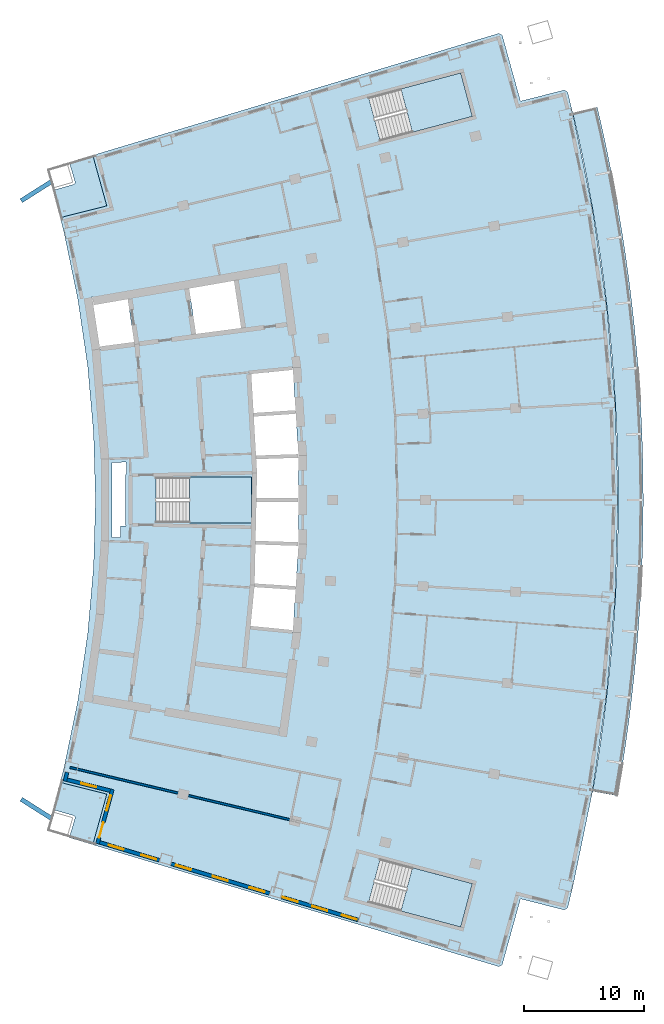
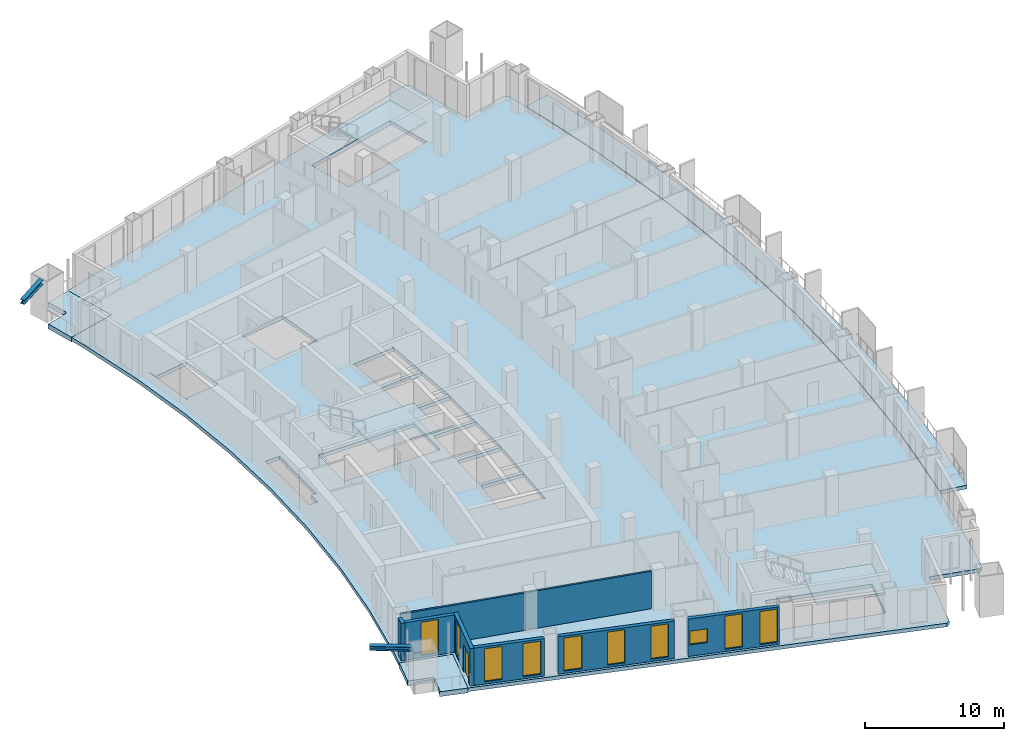
# One storey, part 9 of 19: 10 windows, 7 slabs, 7 walls, 2 members, 1 door, 11 openings, 3 elements without a shape of their own.
"""IFC4 building model written with IfcOpenShell, lengths in metres."""

from ifc_helpers import new_model, si_unit, direction, frame, frame_2d, origin, origin_2d, place, context, subcontext, project, spatial, polyline, rectangle, i_section, outline, extrude, material, layer, layer_set, material_profile, profile_set, type_object, element, fill, aggregate, save


model = new_model("IFC4")

# Units and contexts
model_context = context("Model", 3, precision=1e-05, world=origin(), true_north=direction((0.0, 1.0)))
body_context = subcontext(model_context, "Body", "Model", "MODEL_VIEW")
ifc_project = project(units=[si_unit("LENGTHUNIT", "METRE"), si_unit("AREAUNIT", "SQUARE_METRE"), si_unit("VOLUMEUNIT", "CUBIC_METRE"), si_unit("PLANEANGLEUNIT", "RADIAN"), si_unit("MASSUNIT", "GRAM", prefix="KILO")], contexts=[model_context])

# Site, building, storey
site_placement = place(None, origin())
site = spatial("IfcSite", under=ifc_project, at=site_placement, CompositionType="ELEMENT")
building_placement = place(site_placement, origin())
building = spatial("IfcBuilding", under=site, at=building_placement, Name="Alderwake Tower", CompositionType="ELEMENT")
storey_placement = place(building_placement, frame((0.0, 0.0, 174.800048828125)))
storey = spatial("IfcBuildingStorey", under=building, at=storey_placement, Name="L43", CompositionType="ELEMENT", Elevation=174.800048828125)

# Members
ifc_material_1 = material(Name="Steel ASTM A992 Grade 50", Category="steel")
ifc_material_profile = material_profile(ifc_material_1, i_section(OverallWidth=0.3740234375, OverallDepth=0.372314453125, WebThickness=0.016357421875, FlangeThickness=0.026123046875, at=origin_2d()), Name="W14X132")
ifc_profile_set = profile_set([ifc_material_profile], Name="Steel ASTM A992 Grade 50")
member_type = type_object("IfcMemberType", Name="Brace node stub W14X132", PredefinedType="MEMBER", material=ifc_profile_set)
for number, where, z_axis, x_axis, name in (
    (1, (12.305908203125, 34.4482421875, 3.393798828125), (-0.844355929009, 0.535782665964, 0.0), (-0.535782665964, -0.844355929009, 0.0), "Brace node stub BS.RR02-C0.1784"),
    (2, (12.305908203125, 87.5517578125, 3.393798828125), (-0.844355929009, -0.535782665964, 0.0), (0.535782665964, -0.844355929009, 0.0), "Brace node stub BS.RR12-C0.1784"),
):
    element("IfcMember", number, at=place(storey_placement, frame(where, z_axis=z_axis, x_axis=x_axis)), inside=storey, type_object=member_type, Name=name, PredefinedType="MEMBER", context=body_context, shape_type="SweptSolid", body=[
        extrude(i_section(OverallWidth=0.3740234375, OverallDepth=0.372314453125, WebThickness=0.016357421875, FlangeThickness=0.026123046875, at=origin_2d()), origin(), (0.0, 0.0, 1.0), 2.964599609375),
    ])

# Slabs
ifc_material_2 = material(Name="Concrete C50/60", Category="concrete")
ifc_layer_1 = layer(ifc_material_2, 0.320068359375)
ifc_layer_set_1 = layer_set([ifc_layer_1], Name="Balcony slab 320")
slab_type_1 = type_object("IfcSlabType", Name="Balcony slab 320", PredefinedType="FLOOR", material=ifc_layer_set_1)
slab_1_placement = place(storey_placement, frame((0.0, 0.0, -0.320068359375)))
element("IfcSlab", 3, at=slab_1_placement, inside=storey, type_object=slab_type_1, Name="Balcony BF04", PredefinedType="FLOOR", context=body_context, shape_type="SweptSolid", body=[
    extrude(outline(polyline([(59.880615234375, 38.3662109375), (60.19580078125, 40.40869140625), (60.481201171875, 42.455078125), (60.73681640625, 44.505859375), (60.96240234375, 46.559814453125), (61.157958984375, 48.6171875), (61.323486328125, 50.677001953125), (61.458984375, 52.739013671875), (61.564453125, 54.802490234375), (61.6396484375, 56.86767578125), (61.684814453125, 58.93359375), (61.699951171875, 61.0), (61.684814453125, 63.06640625), (61.6396484375, 65.13232421875), (61.564453125, 67.197509765625), (61.458984375, 69.260986328125), (61.323486328125, 71.322998046875), (61.157958984375, 73.3828125), (60.96240234375, 75.440185546875), (60.73681640625, 77.494140625), (60.481201171875, 79.544921875), (60.19580078125, 81.59130859375), (59.880615234375, 83.6337890625), (59.535888671875, 85.671142578125), (59.1611328125, 87.703369140625), (58.7568359375, 89.729736328125), (58.3232421875, 91.750244140625), (57.860107421875, 93.76416015625), (55.81689453125, 93.278564453125), (56.273193359375, 91.29443359375), (56.700439453125, 89.30419921875), (57.098876953125, 87.3076171875), (57.4677734375, 85.305419921875), (57.8076171875, 83.298095703125), (58.1181640625, 81.2861328125), (58.3994140625, 79.27001953125), (58.65087890625, 77.249755859375), (58.873291015625, 75.22607421875), (59.06591796875, 73.199462890625), (59.22900390625, 71.170166015625), (59.362548828125, 69.138671875), (59.46630859375, 67.105712890625), (59.54052734375, 65.071044921875), (59.585205078125, 63.035888671875), (59.60009765625, 61.0), (59.585205078125, 58.964111328125), (59.54052734375, 56.928955078125), (59.46630859375, 54.894287109375), (59.362548828125, 52.861328125), (59.22900390625, 50.829833984375), (59.06591796875, 48.800537109375), (58.873291015625, 46.77392578125), (58.65087890625, 44.750244140625), (58.3994140625, 42.72998046875), (58.1181640625, 40.7138671875), (57.8076171875, 38.701904296875), (57.4677734375, 36.694580078125), (59.535888671875, 36.328857421875), (59.880615234375, 38.3662109375)])), origin(), (0.0, 0.0, 1.0), 0.320068359375),
])
ifc_material_3 = material(Name="Concrete C50/60", Category="concrete")
ifc_layer_2 = layer(ifc_material_3, 0.320068359375)
ifc_layer_set_2 = layer_set([ifc_layer_2], Name="Concrete C50/60 post-tensioned flat plate 320")
slab_type_2 = type_object("IfcSlabType", Name="Concrete C50/60 post-tensioned flat plate 320", PredefinedType="FLOOR", material=ifc_layer_set_2)
slab_2_placement = place(storey_placement, frame((0.0, 0.0, -0.320068359375)))
element("IfcSlab", 4, at=slab_2_placement, inside=storey, type_object=slab_type_2, Name="Floor slab L43", PredefinedType="FLOOR", context=body_context, shape_type="SweptSolid", body=[
    extrude(outline(polyline([(13.06494140625, 37.443115234375), (13.3984375, 38.802734375), (14.53369140625, 44.28564453125), (15.347412109375, 49.825439453125), (15.836669921875, 55.4033203125), (16.0, 61.0), (15.836669921875, 66.5966796875), (15.347412109375, 72.174560546875), (14.53369140625, 77.71435546875), (13.3984375, 83.197265625), (13.06494140625, 84.556884765625), (16.942626953125, 85.53857421875), (15.776611328125, 89.7548828125), (49.65283203125, 99.925537109375), (49.934326171875, 99.77001953125), (51.4541015625, 94.274169921875), (55.10888671875, 95.19921875), (55.38671875, 95.0322265625), (55.81689453125, 93.278564453125), (57.4677734375, 85.305419921875), (58.65087890625, 77.249755859375), (59.362548828125, 69.138671875), (59.60009765625, 61.0), (59.362548828125, 52.861328125), (58.65087890625, 44.750244140625), (57.4677734375, 36.694580078125), (55.81689453125, 28.721435546875), (55.38671875, 26.9677734375), (55.10888671875, 26.80078125), (51.4541015625, 27.725830078125), (49.934326171875, 22.22998046875), (49.65283203125, 22.074462890625), (15.776611328125, 32.2451171875), (16.942626953125, 36.46142578125), (13.06494140625, 37.443115234375)]), holes=[polyline([(29.25732421875, 53.7685546875), (28.939697265625, 50.49072265625), (32.447509765625, 50.147705078125), (32.432861328125, 49.998291015625), (32.462646484375, 49.995361328125), (32.701416015625, 53.660888671875), (32.940185546875, 57.32666015625), (32.940185546875, 61.0), (32.940185546875, 64.67333984375), (32.701416015625, 68.339111328125), (32.462646484375, 72.004638671875), (32.432861328125, 72.001708984375), (32.447509765625, 71.852294921875), (28.886962890625, 71.50390625), (28.88720703125, 71.50048828125), (28.99462890625, 71.506591796875), (29.184814453125, 68.26025390625), (32.66162109375, 68.48681640625), (32.67138671875, 68.337158203125), (32.68115234375, 68.1875), (29.2021484375, 67.960693359375), (29.392578125, 64.7080078125), (32.9052734375, 64.822265625), (32.91015625, 64.67236328125), (32.9150390625, 64.5224609375), (29.41015625, 64.408447265625), (29.4765625, 63.27685546875), (29.429443359375, 61.14990234375), (32.91015625, 61.14990234375), (32.91015625, 61.0), (32.91015625, 60.85009765625), (29.4228515625, 60.85009765625), (29.350830078125, 57.593505859375), (32.9150390625, 57.4775390625), (32.91015625, 57.32763671875), (32.9052734375, 57.177734375), (29.34423828125, 57.29345703125), (29.2705078125, 53.9697265625), (29.274169921875, 53.969482421875), (29.2783203125, 54.0341796875), (32.68115234375, 53.8125), (32.67138671875, 53.662841796875), (32.66162109375, 53.51318359375), (29.2587890625, 53.73486328125), (29.260986328125, 53.768310546875), (29.25732421875, 53.7685546875)]), polyline([(21.050048828125, 62.875), (21.050048828125, 59.125), (29.0, 59.125), (29.0, 62.875), (21.050048828125, 62.875)]), polyline([(15.739013671875, 77.927490234375), (15.5361328125, 77.8916015625), (15.536865234375, 77.887939453125), (15.716796875, 77.91552734375), (16.379150390625, 73.605712890625), (16.4091796875, 73.609619140625), (16.38330078125, 73.80810546875), (19.224853515625, 74.1796875), (18.689697265625, 77.74365234375), (18.885986328125, 77.773193359375), (18.8837890625, 77.787109375), (15.854248046875, 77.261962890625), (15.739013671875, 77.927490234375)]), polyline([(27.555419921875, 79.29052734375), (23.811767578125, 78.6416015625), (24.384033203125, 74.8583984375), (24.373291015625, 74.856689453125), (24.373779296875, 74.85302734375), (28.152587890625, 75.347412109375), (27.555419921875, 79.29052734375)]), polyline([(47.436279296875, 28.996826171875), (39.754150390625, 31.043212890625), (38.7890625, 27.41943359375), (46.47119140625, 25.373291015625), (47.436279296875, 28.996826171875)]), polyline([(46.47119140625, 96.626708984375), (38.7890625, 94.58056640625), (39.754150390625, 90.956787109375), (47.436279296875, 93.003173828125), (46.47119140625, 96.626708984375)]), polyline([(17.389404296875, 64.1220703125), (17.389404296875, 57.8779296875), (18.06298828125, 57.85400390625), (18.090576171875, 58.84375), (18.544189453125, 58.831298828125), (18.529296875, 58.8681640625), (18.5234375, 58.891845703125), (18.5185546875, 58.940673828125), (18.5185546875, 63.060302734375), (18.5234375, 63.109130859375), (18.53759765625, 63.156005859375), (18.560791015625, 63.19921875), (18.588623046875, 63.2333984375), (18.562744140625, 64.16357421875), (17.389404296875, 64.1220703125)])]), origin(), (0.0, 0.0, 1.0), 0.320068359375),
])

# Stair, slab
ifc_material_4 = material(Name="Concrete C40/50", Category="concrete")
stair_type = type_object("IfcStairType", Name="Core exit stair", PredefinedType="HALF_TURN_STAIR", material=ifc_material_4)
stair_1_placement = place(storey_placement, origin())
stair_1 = element("IfcStair", 5, at=stair_1_placement, inside=storey, type_object=stair_type, Name="L43 Exit Stair B", PredefinedType="HALF_TURN_STAIR")
ifc_material_5 = material(Name="Concrete C40/50", Category="concrete")
ifc_layer_3 = layer(ifc_material_5, 0.199951171875)
ifc_layer_set_3 = layer_set([ifc_layer_3], Name="Core stair landing 200")
slab_type_3 = type_object("IfcSlabType", Name="Core stair landing 200", PredefinedType="LANDING", material=ifc_layer_set_3)
slab_3_placement = place(storey_placement, frame((0.0, 0.0, 1.599853515625)))
slab_3 = element("IfcSlab", 6, at=slab_3_placement, type_object=slab_type_3, Name="ST-B landing 1", PredefinedType="LANDING", context=body_context, shape_type="SweptSolid", body=[
    extrude(outline(polyline([(23.830078125, 59.074951171875), (29.0, 59.074951171875), (29.0, 62.925048828125), (23.830078125, 62.925048828125), (23.830078125, 59.074951171875)])), origin(), (0.0, 0.0, 1.0), 0.2001953125),
])
aggregate(stair_1, [slab_3])

stair_2_placement = place(storey_placement, origin())
stair_2 = element("IfcStair", 7, at=stair_2_placement, inside=storey, type_object=stair_type, Name="L43 Exit Stair A", PredefinedType="HALF_TURN_STAIR")
slab_4_placement = place(storey_placement, frame((0.0, 0.0, 1.599853515625)))
slab_4 = element("IfcSlab", 8, at=slab_4_placement, type_object=slab_type_3, Name="ST-A landing 1", PredefinedType="LANDING", context=body_context, shape_type="SweptSolid", body=[
    extrude(outline(polyline([(42.440673828125, 91.67236328125), (47.436279296875, 93.003173828125), (46.47119140625, 96.626708984375), (41.475341796875, 95.296142578125), (42.440673828125, 91.67236328125)])), origin(), (0.0, 0.0, 1.0), 0.2001953125),
])
aggregate(stair_2, [slab_4])

stair_3_placement = place(storey_placement, origin())
stair_3 = element("IfcStair", 9, at=stair_3_placement, inside=storey, type_object=stair_type, Name="L43 Exit Stair C", PredefinedType="HALF_TURN_STAIR")
slab_5_placement = place(storey_placement, frame((0.0, 0.0, 1.599853515625)))
slab_5 = element("IfcSlab", 10, at=slab_5_placement, type_object=slab_type_3, Name="ST-C landing 1", PredefinedType="LANDING", context=body_context, shape_type="SweptSolid", body=[
    extrude(outline(polyline([(41.475341796875, 26.703857421875), (46.47119140625, 25.373291015625), (47.436279296875, 28.996826171875), (42.4404296875, 30.32763671875), (41.475341796875, 26.703857421875)])), origin(), (0.0, 0.0, 1.0), 0.2001953125),
])
aggregate(stair_3, [slab_5])

# Slabs
ifc_material_6 = material(Name="Concrete C50/60", Category="concrete")
ifc_layer_4 = layer(ifc_material_6, 0.419921875)
ifc_layer_set_4 = layer_set([ifc_layer_4], Name="Terrace slab 420")
slab_type_4 = type_object("IfcSlabType", Name="Terrace slab 420", PredefinedType="FLOOR", material=ifc_layer_set_4)
slab_6_placement = place(storey_placement, frame((0.0, 0.0, -0.420166015625)))
element("IfcSlab", 11, at=slab_6_placement, inside=storey, type_object=slab_type_4, Name="Corner terrace RS", PredefinedType="FLOOR", context=body_context, shape_type="SweptSolid", body=[
    extrude(outline(polyline([(15.776611328125, 32.2451171875), (13.768798828125, 32.847900390625), (13.77685546875, 32.851806640625), (13.789306640625, 32.859619140625), (13.801025390625, 32.868408203125), (13.81201171875, 32.878662109375), (13.82177734375, 32.8896484375), (13.830322265625, 32.901611328125), (13.837646484375, 32.914306640625), (13.84375, 32.927490234375), (13.8486328125, 32.94140625), (14.29443359375, 34.478271484375), (14.2978515625, 34.492431640625), (14.2998046875, 34.507080078125), (14.30029296875, 34.521728515625), (14.29931640625, 34.53662109375), (14.297119140625, 34.551025390625), (14.29345703125, 34.565185546875), (14.2880859375, 34.5791015625), (14.28173828125, 34.59228515625), (14.27392578125, 34.604736328125), (14.26513671875, 34.616455078125), (14.255126953125, 34.627197265625), (14.244140625, 34.63720703125), (14.232177734375, 34.645751953125), (14.219482421875, 34.653076171875), (14.2060546875, 34.6591796875), (14.192138671875, 34.6640625), (12.46337890625, 35.16552734375), (12.456787109375, 35.1669921875), (12.71142578125, 36.08837890625), (13.06494140625, 37.443115234375), (16.942626953125, 36.46142578125), (15.776611328125, 32.2451171875)])), origin(), (0.0, 0.0, 1.0), 0.420166015625),
])
slab_7_placement = place(storey_placement, frame((0.0, 0.0, -0.420166015625)))
element("IfcSlab", 12, at=slab_7_placement, inside=storey, type_object=slab_type_4, Name="Corner terrace RN", PredefinedType="FLOOR", context=body_context, shape_type="SweptSolid", body=[
    extrude(outline(polyline([(12.456787109375, 86.8330078125), (12.46337890625, 86.83447265625), (14.192138671875, 87.3359375), (14.2060546875, 87.3408203125), (14.219482421875, 87.346923828125), (14.232177734375, 87.354248046875), (14.244140625, 87.36279296875), (14.255126953125, 87.372802734375), (14.26513671875, 87.383544921875), (14.27392578125, 87.395263671875), (14.28173828125, 87.40771484375), (14.2880859375, 87.4208984375), (14.29345703125, 87.434814453125), (14.297119140625, 87.448974609375), (14.29931640625, 87.46337890625), (14.30029296875, 87.478271484375), (14.2998046875, 87.492919921875), (14.2978515625, 87.507568359375), (14.29443359375, 87.521728515625), (13.8486328125, 89.05859375), (13.84375, 89.072509765625), (13.837646484375, 89.085693359375), (13.830322265625, 89.098388671875), (13.82177734375, 89.1103515625), (13.81201171875, 89.121337890625), (13.801025390625, 89.131591796875), (13.789306640625, 89.140380859375), (13.77685546875, 89.148193359375), (13.768798828125, 89.152099609375), (15.776611328125, 89.7548828125), (16.942626953125, 85.53857421875), (13.06494140625, 84.556884765625), (12.71142578125, 85.91162109375), (12.456787109375, 86.8330078125)])), origin(), (0.0, 0.0, 1.0), 0.420166015625),
])

# Walls
ifc_material_7 = material(Name="Gypsum board on metal studs, rated")
ifc_layer_5 = layer(ifc_material_7, 0.159912109375)
ifc_layer_set_5 = layer_set([ifc_layer_5], Name="Corridor wall 160")
wall_type_1 = type_object("IfcWallType", Name="Corridor wall 160", PredefinedType="PARTITIONING", material=ifc_layer_set_5)
wall_1_placement = place(storey_placement, frame((13.884033203125, 38.68798828125, 0.0), z_axis=(0.0, 0.0, 1.0), x_axis=(0.972897690171, -0.231235993004, 0.0)))
element("IfcWall", 13, at=wall_1_placement, inside=storey, type_object=wall_type_1, Name="WL/L43/W13", PredefinedType="PARTITIONING", context=body_context, shape_type="SweptSolid", body=[
    extrude(rectangle(XDim=18.8271484375, YDim=0.159912109375, at=frame_2d((9.41357421875, 0.0))), origin(), (0.0, 0.0, 1.0), 3.280029296875),
])
ifc_material_8 = material(Name="Precast concrete C50/60 spandrel panel", Category="concrete")
ifc_layer_6 = layer(ifc_material_8, 0.300048828125)
ifc_layer_set_6 = layer_set([ifc_layer_6], Name="External wall EW1 Precast concrete C50/60 spandrel")
wall_type_2 = type_object("IfcWallType", Name="External wall EW1 Precast concrete C50/60 spandrel", PredefinedType="SOLIDWALL", material=ifc_layer_set_6)
wall_2_placement = place(storey_placement, frame((13.63134765625, 38.28271484375, 0.0), z_axis=(0.0, 0.0, 1.0), x_axis=(-0.238336947214, -0.971182526404, 0.0)))
element("IfcWall", 14, at=wall_2_placement, inside=storey, type_object=wall_type_2, Name="External wall 1", PredefinedType="SOLIDWALL", context=body_context, shape_type="SweptSolid", body=[
    extrude(rectangle(XDim=0.7529296875, YDim=0.300048828125, at=frame_2d((0.37646484375, 0.0))), origin(), (0.0, 0.0, 1.0), 3.280029296875),
])

# Wall, opening, window
ifc_material_9 = material(Name="Bronze metal cladding on lightweight framing")
ifc_layer_7 = layer(ifc_material_9, 0.300048828125)
ifc_layer_set_7 = layer_set([ifc_layer_7], Name="External wall EW2 bronze metal cladding")
wall_type_3 = type_object("IfcWallType", Name="External wall EW2 bronze metal cladding", PredefinedType="SOLIDWALL", material=ifc_layer_set_7)
wall_3_placement = place(storey_placement, frame((13.633056640625, 37.660400390625, 0.0), z_axis=(0.0, 0.0, 1.0), x_axis=(0.969417366605, -0.245417948254, 0.0)))
wall_3 = element("IfcWall", 15, at=wall_3_placement, inside=storey, type_object=wall_type_3, Name="External wall 2", PredefinedType="SOLIDWALL", context=body_context, shape_type="SweptSolid", body=[
    extrude(rectangle(XDim=3.70556640625, YDim=0.300048828125, at=frame_2d((1.852783203125, 0.0))), origin(), (0.0, 0.0, 1.0), 3.280029296875),
])
opening_1_placement = place(wall_3_placement, frame((1.202880859375, 0.0, 0.199951171875)))
opening_1 = element("IfcOpeningElement", 16, at=opening_1_placement, cuts=wall_3, Name="Opening W1", PredefinedType="OPENING", context=body_context, shape_type="SweptSolid", body=[
    extrude(rectangle(XDim=1.300048828125, YDim=2.89990234375, at=frame_2d((0.64990234375, 1.449951171875))), frame((0.0, 0.159912109375, 0.0), z_axis=(0.0, -1.0, 0.0), x_axis=(1.0, 0.0, 0.0)), (0.0, 0.0, 1.0), 0.320068359375),
])
ifc_material_10 = material(Name="Bronze tinted glass in aluminium frame", Category="aluminium")
window_type_1 = type_object("IfcWindowType", Name="Window W1 tall fixed and vent", PartitioningType="DOUBLE_PANEL_VERTICAL", PredefinedType="WINDOW", material=ifc_material_10)
window_1_placement = place(opening_1_placement, origin())
window_1 = element("IfcWindow", 17, at=window_1_placement, inside=storey, type_object=window_type_1, Name="Window W1 tall fixed and vent", OverallHeight=2.89990234375, OverallWidth=1.300048828125, PartitioningType="DOUBLE_PANEL_VERTICAL", PredefinedType="WINDOW", context=body_context, shape_type="SweptSolid", body=[
    extrude(rectangle(XDim=1.300048828125, YDim=2.89990234375, at=frame_2d((0.64990234375, 1.449951171875))), frame((0.0, 0.030029296875, 0.0), z_axis=(0.0, -1.0, 0.0), x_axis=(1.0, 0.0, 0.0)), (0.0, 0.0, 1.0), 0.06005859375),
])
fill(opening_1, window_1)

# Wall, openings, door, window
wall_4_placement = place(storey_placement, frame((17.410400390625, 36.85888671875, 0.0), z_axis=(0.0, 0.0, 1.0), x_axis=(-0.264592640785, -0.96436027212, 0.0)))
wall_4 = element("IfcWall", 18, at=wall_4_placement, inside=storey, type_object=wall_type_3, Name="External wall 3", PredefinedType="SOLIDWALL", context=body_context, shape_type="SweptSolid", body=[
    extrude(rectangle(XDim=4.690185546875, YDim=0.300048828125, at=frame_2d((2.34521484375, 0.0))), origin(), (0.0, 0.0, 1.0), 3.280029296875),
])
opening_2_placement = place(wall_4_placement, frame((0.5224609375, 0.0, 0.199951171875)))
opening_2 = element("IfcOpeningElement", 19, at=opening_2_placement, cuts=wall_4, Name="Opening W1", PredefinedType="OPENING", context=body_context, shape_type="SweptSolid", body=[
    extrude(rectangle(XDim=1.300048828125, YDim=2.89990234375, at=frame_2d((0.64990234375, 1.449951171875))), frame((0.0, 0.159912109375, 0.0), z_axis=(0.0, -1.0, 0.0), x_axis=(1.0, 0.0, 0.0)), (0.0, 0.0, 1.0), 0.320068359375),
])
opening_3_placement = place(wall_4_placement, frame((2.867431640625, 0.0, 0.0)))
opening_3 = element("IfcOpeningElement", 20, at=opening_3_placement, cuts=wall_4, Name="Opening D01", PredefinedType="OPENING", context=body_context, shape_type="SweptSolid", body=[
    extrude(rectangle(XDim=1.300048828125, YDim=2.39990234375, at=frame_2d((0.64990234375, 1.199951171875))), frame((0.0, 0.159912109375, 0.0), z_axis=(0.0, -1.0, 0.0), x_axis=(1.0, 0.0, 0.0)), (0.0, 0.0, 1.0), 0.320068359375),
])
ifc_material_11 = material(Name="Bronze tinted glass in aluminium frame", Category="aluminium")
door_type = type_object("IfcDoorType", Name="Balcony door BD sliding", OperationType="SLIDING_TO_LEFT", PredefinedType="DOOR", material=ifc_material_11)
door_placement = place(opening_3_placement, origin())
door = element("IfcDoor", 21, at=door_placement, inside=storey, type_object=door_type, Name="Door D01", OperationType="SLIDING_TO_LEFT", OverallHeight=2.39990234375, OverallWidth=1.300048828125, PredefinedType="DOOR", context=body_context, shape_type="SweptSolid", body=[
    extrude(rectangle(XDim=1.300048828125, YDim=2.39990234375, at=frame_2d((0.64990234375, 1.199951171875))), frame((0.0, 0.02490234375, 0.0), z_axis=(0.0, -1.0, 0.0), x_axis=(1.0, 0.0, 0.0)), (0.0, 0.0, 1.0), 0.050048828125),
])
fill(opening_3, door)
window_2_placement = place(opening_2_placement, origin())
window_2 = element("IfcWindow", 22, at=window_2_placement, inside=storey, type_object=window_type_1, Name="Window W1 tall fixed and vent", OverallHeight=2.89990234375, OverallWidth=1.300048828125, PartitioningType="DOUBLE_PANEL_VERTICAL", PredefinedType="WINDOW", context=body_context, shape_type="SweptSolid", body=[
    extrude(rectangle(XDim=1.300048828125, YDim=2.89990234375, at=frame_2d((0.64990234375, 1.449951171875))), frame((0.0, 0.030029296875, 0.0), z_axis=(0.0, -1.0, 0.0), x_axis=(1.0, 0.0, 0.0)), (0.0, 0.0, 1.0), 0.06005859375),
])
fill(opening_2, window_2)

# Wall, openings, windows
wall_5_placement = place(storey_placement, frame((16.352783203125, 32.4375, 0.0), z_axis=(0.0, 0.0, 1.0), x_axis=(0.95776681843, -0.287546033732, 0.0)))
wall_5 = element("IfcWall", 23, at=wall_5_placement, inside=storey, type_object=wall_type_3, Name="External wall 4", PredefinedType="SOLIDWALL", context=body_context, shape_type="SweptSolid", body=[
    extrude(rectangle(XDim=5.199462890625, YDim=0.300048828125, at=frame_2d((2.599609375, 0.0))), origin(), (0.0, 0.0, 1.0), 3.280029296875),
])
opening_4_placement = place(wall_5_placement, frame((0.775390625, 0.0, 0.199951171875)))
opening_4 = element("IfcOpeningElement", 24, at=opening_4_placement, cuts=wall_5, Name="Opening W1", PredefinedType="OPENING", context=body_context, shape_type="SweptSolid", body=[
    extrude(rectangle(XDim=1.300048828125, YDim=2.89990234375, at=frame_2d((0.64990234375, 1.449951171875))), frame((0.0, 0.159912109375, 0.0), z_axis=(0.0, -1.0, 0.0), x_axis=(1.0, 0.0, 0.0)), (0.0, 0.0, 1.0), 0.320068359375),
])
opening_5_placement = place(wall_5_placement, frame((3.626220703125, 0.0, 0.199951171875)))
opening_5 = element("IfcOpeningElement", 25, at=opening_5_placement, cuts=wall_5, Name="Opening W1", PredefinedType="OPENING", context=body_context, shape_type="SweptSolid", body=[
    extrude(rectangle(XDim=1.300048828125, YDim=2.89990234375, at=frame_2d((0.64990234375, 1.449951171875))), frame((0.0, 0.159912109375, 0.0), z_axis=(0.0, -1.0, 0.0), x_axis=(1.0, 0.0, 0.0)), (0.0, 0.0, 1.0), 0.320068359375),
])
window_3_placement = place(opening_4_placement, origin())
window_3 = element("IfcWindow", 26, at=window_3_placement, inside=storey, type_object=window_type_1, Name="Window W1 tall fixed and vent", OverallHeight=2.89990234375, OverallWidth=1.300048828125, PartitioningType="DOUBLE_PANEL_VERTICAL", PredefinedType="WINDOW", context=body_context, shape_type="SweptSolid", body=[
    extrude(rectangle(XDim=1.300048828125, YDim=2.89990234375, at=frame_2d((0.64990234375, 1.449951171875))), frame((0.0, 0.030029296875, 0.0), z_axis=(0.0, -1.0, 0.0), x_axis=(1.0, 0.0, 0.0)), (0.0, 0.0, 1.0), 0.06005859375),
])
fill(opening_4, window_3)
window_4_placement = place(opening_5_placement, origin())
window_4 = element("IfcWindow", 27, at=window_4_placement, inside=storey, type_object=window_type_1, Name="Window W1 tall fixed and vent", OverallHeight=2.89990234375, OverallWidth=1.300048828125, PartitioningType="DOUBLE_PANEL_VERTICAL", PredefinedType="WINDOW", context=body_context, shape_type="SweptSolid", body=[
    extrude(rectangle(XDim=1.300048828125, YDim=2.89990234375, at=frame_2d((0.64990234375, 1.449951171875))), frame((0.0, 0.030029296875, 0.0), z_axis=(0.0, -1.0, 0.0), x_axis=(1.0, 0.0, 0.0)), (0.0, 0.0, 1.0), 0.06005859375),
])
fill(opening_5, window_4)

wall_6_placement = place(storey_placement, frame((22.294677734375, 30.653564453125, 0.0), z_axis=(0.0, 0.0, 1.0), x_axis=(0.957768419769, -0.287540699891, 0.0)))
wall_6 = element("IfcWall", 28, at=wall_6_placement, inside=storey, type_object=wall_type_3, Name="External wall 5", PredefinedType="SOLIDWALL", context=body_context, shape_type="SweptSolid", body=[
    extrude(rectangle(XDim=8.595947265625, YDim=0.300048828125, at=frame_2d((4.2978515625, 0.0))), origin(), (0.0, 0.0, 1.0), 3.280029296875),
])
opening_6_placement = place(wall_6_placement, frame((0.44775390625, 0.0, 0.199951171875)))
opening_6 = element("IfcOpeningElement", 29, at=opening_6_placement, cuts=wall_6, Name="Opening W1", PredefinedType="OPENING", context=body_context, shape_type="SweptSolid", body=[
    extrude(rectangle(XDim=1.300048828125, YDim=2.89990234375, at=frame_2d((0.64990234375, 1.449951171875))), frame((0.0, 0.159912109375, 0.0), z_axis=(0.0, -1.0, 0.0), x_axis=(1.0, 0.0, 0.0)), (0.0, 0.0, 1.0), 0.320068359375),
])
opening_7_placement = place(wall_6_placement, frame((3.647705078125, 0.0, 0.199951171875)))
opening_7 = element("IfcOpeningElement", 30, at=opening_7_placement, cuts=wall_6, Name="Opening W1", PredefinedType="OPENING", context=body_context, shape_type="SweptSolid", body=[
    extrude(rectangle(XDim=1.300048828125, YDim=2.89990234375, at=frame_2d((0.64990234375, 1.449951171875))), frame((0.0, 0.159912109375, 0.0), z_axis=(0.0, -1.0, 0.0), x_axis=(1.0, 0.0, 0.0)), (0.0, 0.0, 1.0), 0.320068359375),
])
opening_8_placement = place(wall_6_placement, frame((6.847900390625, 0.0, 0.199951171875)))
opening_8 = element("IfcOpeningElement", 31, at=opening_8_placement, cuts=wall_6, Name="Opening W1", PredefinedType="OPENING", context=body_context, shape_type="SweptSolid", body=[
    extrude(rectangle(XDim=1.300048828125, YDim=2.89990234375, at=frame_2d((0.64990234375, 1.449951171875))), frame((0.0, 0.159912109375, 0.0), z_axis=(0.0, -1.0, 0.0), x_axis=(1.0, 0.0, 0.0)), (0.0, 0.0, 1.0), 0.320068359375),
])
window_5_placement = place(opening_6_placement, origin())
window_5 = element("IfcWindow", 32, at=window_5_placement, inside=storey, type_object=window_type_1, Name="Window W1 tall fixed and vent", OverallHeight=2.89990234375, OverallWidth=1.300048828125, PartitioningType="DOUBLE_PANEL_VERTICAL", PredefinedType="WINDOW", context=body_context, shape_type="SweptSolid", body=[
    extrude(rectangle(XDim=1.300048828125, YDim=2.89990234375, at=frame_2d((0.64990234375, 1.449951171875))), frame((0.0, 0.030029296875, 0.0), z_axis=(0.0, -1.0, 0.0), x_axis=(1.0, 0.0, 0.0)), (0.0, 0.0, 1.0), 0.06005859375),
])
fill(opening_6, window_5)
window_6_placement = place(opening_7_placement, origin())
window_6 = element("IfcWindow", 33, at=window_6_placement, inside=storey, type_object=window_type_1, Name="Window W1 tall fixed and vent", OverallHeight=2.89990234375, OverallWidth=1.300048828125, PartitioningType="DOUBLE_PANEL_VERTICAL", PredefinedType="WINDOW", context=body_context, shape_type="SweptSolid", body=[
    extrude(rectangle(XDim=1.300048828125, YDim=2.89990234375, at=frame_2d((0.64990234375, 1.449951171875))), frame((0.0, 0.030029296875, 0.0), z_axis=(0.0, -1.0, 0.0), x_axis=(1.0, 0.0, 0.0)), (0.0, 0.0, 1.0), 0.06005859375),
])
fill(opening_7, window_6)
window_7_placement = place(opening_8_placement, origin())
window_7 = element("IfcWindow", 34, at=window_7_placement, inside=storey, type_object=window_type_1, Name="Window W1 tall fixed and vent", OverallHeight=2.89990234375, OverallWidth=1.300048828125, PartitioningType="DOUBLE_PANEL_VERTICAL", PredefinedType="WINDOW", context=body_context, shape_type="SweptSolid", body=[
    extrude(rectangle(XDim=1.300048828125, YDim=2.89990234375, at=frame_2d((0.64990234375, 1.449951171875))), frame((0.0, 0.030029296875, 0.0), z_axis=(0.0, -1.0, 0.0), x_axis=(1.0, 0.0, 0.0)), (0.0, 0.0, 1.0), 0.06005859375),
])
fill(opening_8, window_7)

wall_7_placement = place(storey_placement, frame((31.4892578125, 27.89306640625, 0.0), z_axis=(0.0, 0.0, 1.0), x_axis=(0.957766354081, -0.287547580396, 0.0)))
wall_7 = element("IfcWall", 35, at=wall_7_placement, inside=storey, type_object=wall_type_3, Name="External wall 6", PredefinedType="SOLIDWALL", context=body_context, shape_type="SweptSolid", body=[
    extrude(rectangle(XDim=6.7294921875, YDim=0.300048828125, at=frame_2d((3.36474609375, 0.0))), origin(), (0.0, 0.0, 1.0), 3.280029296875),
])
opening_9_placement = place(wall_7_placement, frame((0.13671875, 0.0, 1.0)))
opening_9 = element("IfcOpeningElement", 36, at=opening_9_placement, cuts=wall_7, Name="Opening W2", PredefinedType="OPENING", context=body_context, shape_type="SweptSolid", body=[
    extrude(rectangle(XDim=1.300048828125, YDim=1.199951171875, at=frame_2d((0.64990234375, 0.60009765625))), frame((0.0, 0.159912109375, 0.0), z_axis=(0.0, -1.0, 0.0), x_axis=(1.0, 0.0, 0.0)), (0.0, 0.0, 1.0), 0.320068359375),
])
opening_10_placement = place(wall_7_placement, frame((2.714599609375, 0.0, 0.199951171875)))
opening_10 = element("IfcOpeningElement", 37, at=opening_10_placement, cuts=wall_7, Name="Opening W1", PredefinedType="OPENING", context=body_context, shape_type="SweptSolid", body=[
    extrude(rectangle(XDim=1.300048828125, YDim=2.89990234375, at=frame_2d((0.64990234375, 1.449951171875))), frame((0.0, 0.159912109375, 0.0), z_axis=(0.0, -1.0, 0.0), x_axis=(1.0, 0.0, 0.0)), (0.0, 0.0, 1.0), 0.320068359375),
])
opening_11_placement = place(wall_7_placement, frame((5.29248046875, 0.0, 0.199951171875)))
opening_11 = element("IfcOpeningElement", 38, at=opening_11_placement, cuts=wall_7, Name="Opening W1", PredefinedType="OPENING", context=body_context, shape_type="SweptSolid", body=[
    extrude(rectangle(XDim=1.300048828125, YDim=2.89990234375, at=frame_2d((0.64990234375, 1.449951171875))), frame((0.0, 0.159912109375, 0.0), z_axis=(0.0, -1.0, 0.0), x_axis=(1.0, 0.0, 0.0)), (0.0, 0.0, 1.0), 0.320068359375),
])
window_8_placement = place(opening_10_placement, origin())
window_8 = element("IfcWindow", 39, at=window_8_placement, inside=storey, type_object=window_type_1, Name="Window W1 tall fixed and vent", OverallHeight=2.89990234375, OverallWidth=1.300048828125, PartitioningType="DOUBLE_PANEL_VERTICAL", PredefinedType="WINDOW", context=body_context, shape_type="SweptSolid", body=[
    extrude(rectangle(XDim=1.300048828125, YDim=2.89990234375, at=frame_2d((0.64990234375, 1.449951171875))), frame((0.0, 0.030029296875, 0.0), z_axis=(0.0, -1.0, 0.0), x_axis=(1.0, 0.0, 0.0)), (0.0, 0.0, 1.0), 0.06005859375),
])
fill(opening_10, window_8)
window_9_placement = place(opening_11_placement, origin())
window_9 = element("IfcWindow", 40, at=window_9_placement, inside=storey, type_object=window_type_1, Name="Window W1 tall fixed and vent", OverallHeight=2.89990234375, OverallWidth=1.300048828125, PartitioningType="DOUBLE_PANEL_VERTICAL", PredefinedType="WINDOW", context=body_context, shape_type="SweptSolid", body=[
    extrude(rectangle(XDim=1.300048828125, YDim=2.89990234375, at=frame_2d((0.64990234375, 1.449951171875))), frame((0.0, 0.030029296875, 0.0), z_axis=(0.0, -1.0, 0.0), x_axis=(1.0, 0.0, 0.0)), (0.0, 0.0, 1.0), 0.06005859375),
])
fill(opening_11, window_9)
ifc_material_12 = material(Name="Bronze tinted glass in aluminium frame", Category="aluminium")
window_type_2 = type_object("IfcWindowType", Name="Window W2 kitchen and bath", PartitioningType="SINGLE_PANEL", PredefinedType="WINDOW", material=ifc_material_12)
window_10_placement = place(opening_9_placement, origin())
window_10 = element("IfcWindow", 41, at=window_10_placement, inside=storey, type_object=window_type_2, Name="Window W2 kitchen and bath", OverallHeight=1.199951171875, OverallWidth=1.300048828125, PartitioningType="SINGLE_PANEL", PredefinedType="WINDOW", context=body_context, shape_type="SweptSolid", body=[
    extrude(rectangle(XDim=1.300048828125, YDim=1.199951171875, at=frame_2d((0.64990234375, 0.60009765625))), frame((0.0, 0.030029296875, 0.0), z_axis=(0.0, -1.0, 0.0), x_axis=(1.0, 0.0, 0.0)), (0.0, 0.0, 1.0), 0.06005859375),
])
fill(opening_9, window_10)

save(model, "model.ifc")
